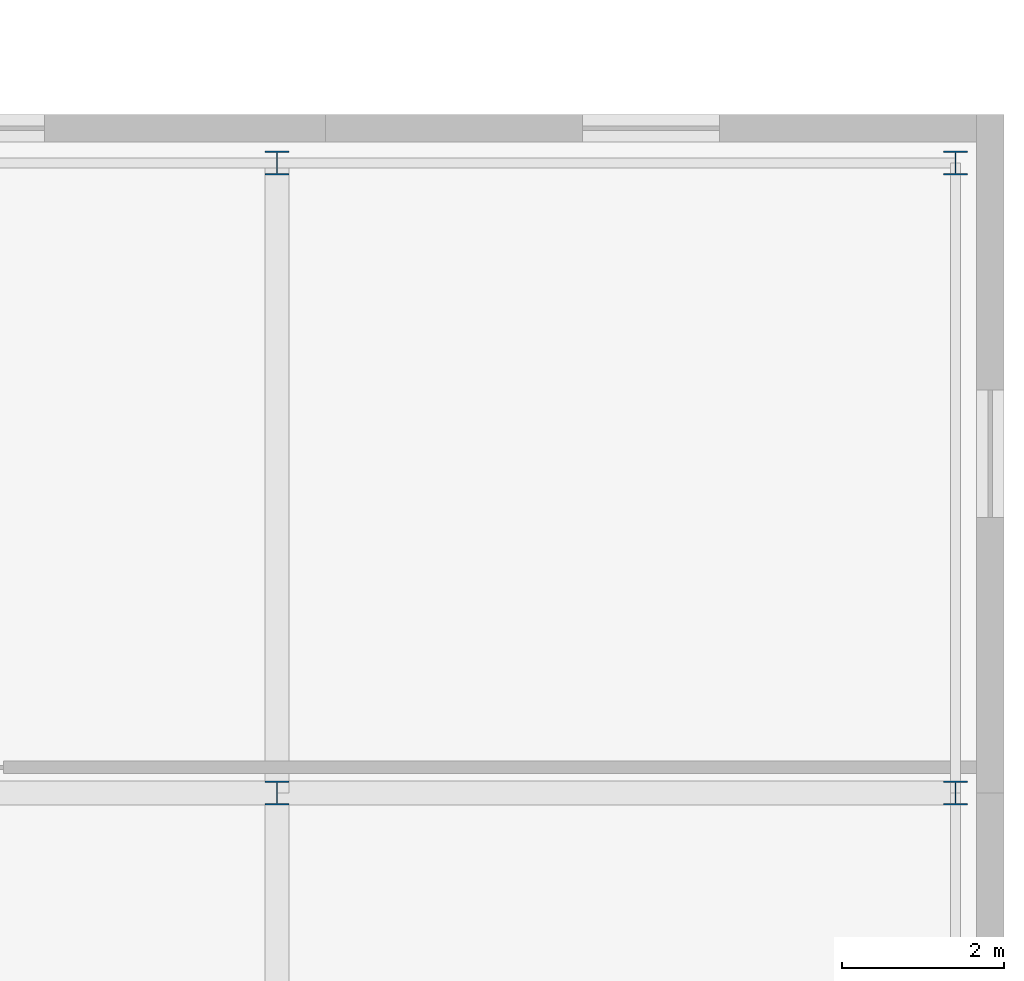
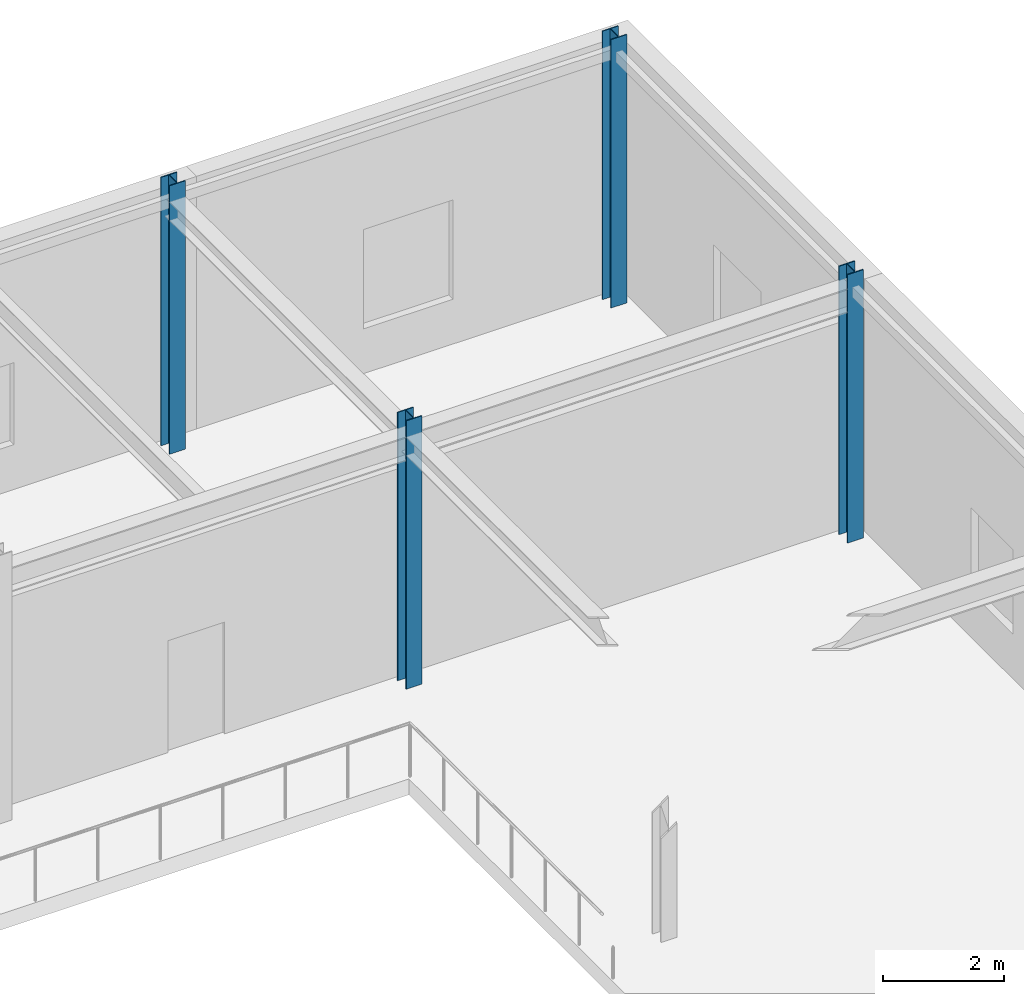
# One storey, part 11 of 139: 4 columns.
"""IFC4 building model written with IfcOpenShell, lengths in metres."""

from ifc_helpers import new_model, si_unit, direction, frame, origin, origin_2d, place, context, subcontext, project, spatial, i_section, extrude, material, material_profile, profile_set, type_object, element, save


model = new_model("IFC4")

# Units and contexts
model_context = context("Model", 3, precision=1e-05, world=origin(), true_north=direction((0.0, 1.0)))
body_context = subcontext(model_context, "Body", "Model", "MODEL_VIEW")
ifc_project = project(units=[si_unit("LENGTHUNIT", "METRE"), si_unit("AREAUNIT", "SQUARE_METRE"), si_unit("VOLUMEUNIT", "CUBIC_METRE"), si_unit("PLANEANGLEUNIT", "RADIAN"), si_unit("MASSUNIT", "GRAM", prefix="KILO")], contexts=[model_context])

# Site, building, storey
site_placement = place(None, origin())
site = spatial("IfcSite", under=ifc_project, at=site_placement, CompositionType="ELEMENT")
building_placement = place(site_placement, origin())
building = spatial("IfcBuilding", under=site, at=building_placement, Name="Zayran Congress Hotel", CompositionType="ELEMENT")
storey_placement = place(building_placement, frame((0.0, 0.0, 5.39990234375)))
storey = spatial("IfcBuildingStorey", under=building, at=storey_placement, Name="L01", CompositionType="ELEMENT", Elevation=5.39990234375)

# Columns
ifc_material = material(Name="Steel S355", Category="steel")
ifc_material_profile = material_profile(ifc_material, i_section(OverallWidth=0.300048828125, OverallDepth=0.300048828125, WebThickness=0.010986328125, FlangeThickness=0.01904296875, at=origin_2d()), Name="HEB 300")
ifc_profile_set = profile_set([ifc_material_profile], Name="Steel S355")
column_type = type_object("IfcColumnType", Name="TP-CL-08", PredefinedType="COLUMN", material=ifc_profile_set)
for number, where, z_axis, x_axis, name in (
    (1, (184.199951171875, 109.60009765625, 0.0), (0.0, 0.0, 1.0), (1.0, 0.0, 0.0), "COL-V2-L01-0578"),
    (2, (184.199951171875, 117.39990234375, 0.0), (0.0, 0.0, 1.0), (1.0, 0.0, 0.0), "COL-V2-L01-0579"),
    (3, (192.60009765625, 109.60009765625, 0.0), (0.0, 0.0, 1.0), (1.0, 0.0, 0.0), "COL-V2-L01-0583"),
    (4, (192.60009765625, 117.39990234375, 0.0), (0.0, 0.0, 1.0), (1.0, 0.0, 0.0), "COL-V2-L01-0584"),
):
    element("IfcColumn", number, at=place(storey_placement, frame(where, z_axis=z_axis, x_axis=x_axis)), inside=storey, type_object=column_type, Name=name, PredefinedType="COLUMN", context=body_context, shape_type="SweptSolid", body=[
        extrude(i_section(OverallWidth=0.300048828125, OverallDepth=0.300048828125, WebThickness=0.010986328125, FlangeThickness=0.01904296875, at=origin_2d()), origin(), (0.0, 0.0, 1.0), 5.400146484375),
    ])

save(model, "model.ifc")
